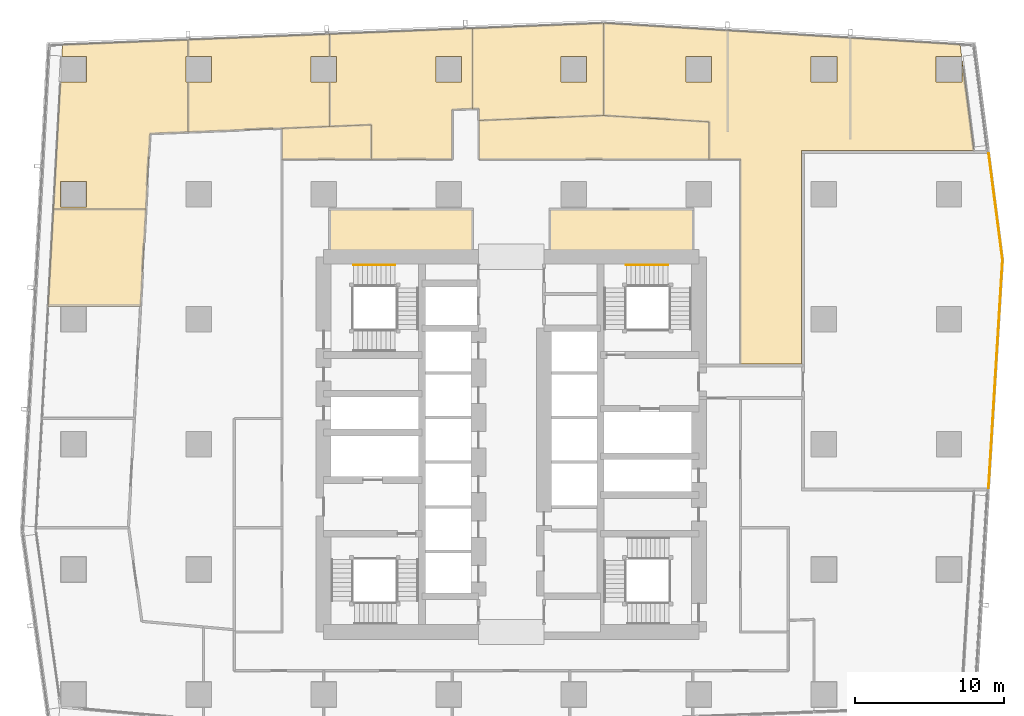
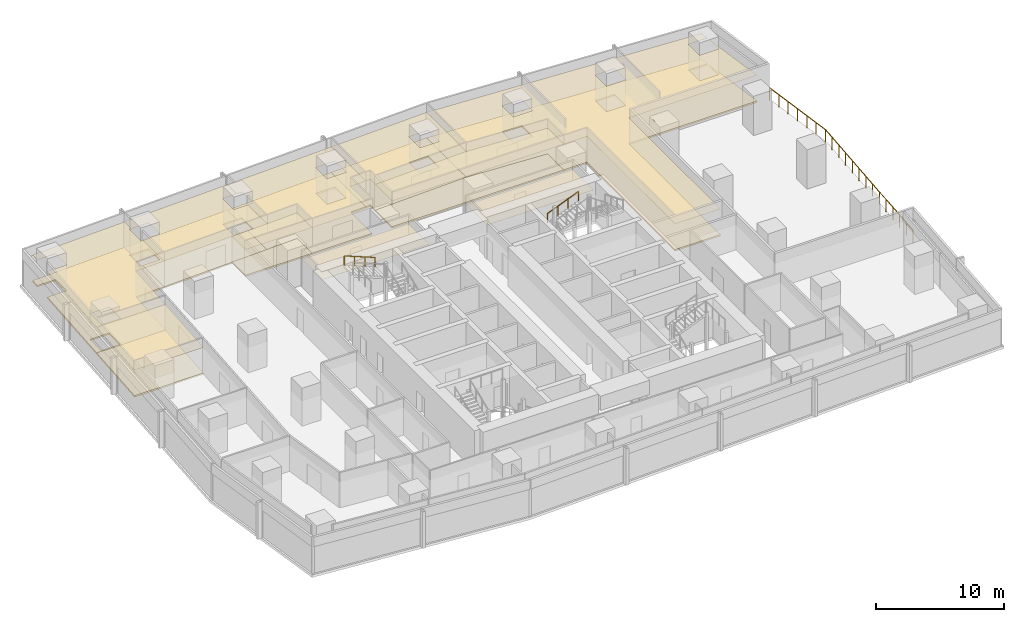
# One storey, part 40 of 40: 18 coverings, 3 railings.
"""IFC4 building model written with IfcOpenShell, lengths in metres."""

from ifc_helpers import new_model, si_unit, direction, frame, origin, origin_2d, place, context, subcontext, project, spatial, polyline, circle, outline, extrude, material, layer, layer_set, type_object, element, save


model = new_model("IFC4")

# Units and contexts
model_context = context("Model", 3, precision=1e-05, world=origin(), true_north=direction((0.0, 1.0)))
body_context = subcontext(model_context, "Body", "Model", "MODEL_VIEW")
ifc_project = project(units=[si_unit("LENGTHUNIT", "METRE"), si_unit("AREAUNIT", "SQUARE_METRE"), si_unit("VOLUMEUNIT", "CUBIC_METRE"), si_unit("PLANEANGLEUNIT", "RADIAN"), si_unit("MASSUNIT", "GRAM", prefix="KILO")], contexts=[model_context])

# Site, building, storey
site_placement = place(None, origin())
site = spatial("IfcSite", under=ifc_project, at=site_placement, CompositionType="ELEMENT")
building_placement = place(site_placement, origin())
building = spatial("IfcBuilding", under=site, at=building_placement, Name="Rekha Terrace Tower", CompositionType="ELEMENT")
storey_placement = place(building_placement, frame((0.0, 0.0, 99.050048828125)))
storey = spatial("IfcBuildingStorey", under=building, at=storey_placement, Name="L24", CompositionType="ELEMENT", Elevation=99.050048828125)

# Coverings
ifc_material_1 = material(Name="Mineral fibre tile in exposed grid", Category="finish")
ifc_layer_1 = layer(ifc_material_1, 0.02001953125)
ifc_layer_set_1 = layer_set([ifc_layer_1], Name="Mineral fibre tile in exposed grid")
covering_type_1 = type_object("IfcCoveringType", Name="CL1 600x1200 office grid ceiling", PredefinedType="CEILING", material=ifc_layer_set_1)
covering_1_placement = place(storey_placement, frame((0.0, 0.0, 2.579833984375)))
element("IfcCovering", 1, at=covering_1_placement, inside=storey, type_object=covering_type_1, Name="Ceiling L24-03", PredefinedType="CEILING", context=body_context, shape_type="SweptSolid", body=[
    extrude(outline(polyline([(52.35009765625, 54.60009765625), (52.34912109375, 54.60009765625), (52.34912109375, 61.40087890625), (44.00390625, 61.902099609375), (44.00390625, 55.69091796875), (51.09912109375, 55.263916015625), (51.09912109375, 52.75), (53.199951171875, 52.75), (53.199951171875, 39.0009765625), (57.299072265625, 39.0009765625), (57.299072265625, 53.325927734375), (62.073974609375, 53.326904296875), (68.8779296875, 53.326904296875), (68.0849609375, 59.416015625), (68.06494140625, 59.4150390625), (68.06494140625, 57.93505859375), (66.3349609375, 57.93505859375), (66.3349609375, 59.6650390625), (68.052978515625, 59.6650390625), (67.948974609375, 60.462890625), (60.56201171875, 60.906982421875), (60.56201171875, 54.10693359375), (60.56103515625, 54.10693359375), (60.56103515625, 60.906982421875), (52.35009765625, 61.39990234375), (52.35009765625, 54.60009765625)]), holes=[polyline([(59.6650390625, 57.93505859375), (57.93505859375, 57.93505859375), (57.93505859375, 59.6650390625), (59.6650390625, 59.6650390625), (59.6650390625, 57.93505859375)]), polyline([(51.264892578125, 57.93505859375), (49.534912109375, 57.93505859375), (49.534912109375, 59.6650390625), (51.264892578125, 59.6650390625), (51.264892578125, 57.93505859375)])]), origin(), (0.0, 0.0, 1.0), 0.02001953125),
])
covering_2_placement = place(storey_placement, frame((0.0, 0.0, 2.579833984375)))
element("IfcCovering", 2, at=covering_2_placement, inside=storey, type_object=covering_type_1, Name="Ceiling L24-04", PredefinedType="CEILING", context=body_context, shape_type="SweptSolid", body=[
    extrude(outline(polyline([(35.199951171875, 56.14208984375), (35.6259765625, 56.158935546875), (35.6259765625, 55.35791015625), (44.0029296875, 55.694091796875), (44.0029296875, 61.89892578125), (35.199951171875, 61.5458984375), (35.199951171875, 56.14208984375)]), holes=[polyline([(42.864990234375, 57.93505859375), (41.135009765625, 57.93505859375), (41.135009765625, 59.6650390625), (42.864990234375, 59.6650390625), (42.864990234375, 57.93505859375)])]), origin(), (0.0, 0.0, 1.0), 0.02001953125),
])
covering_3_placement = place(storey_placement, frame((0.0, 0.0, 2.579833984375)))
element("IfcCovering", 3, at=covering_3_placement, inside=storey, type_object=covering_type_1, Name="Ceiling L24-05", PredefinedType="CEILING", context=body_context, shape_type="SweptSolid", body=[
    extrude(outline(polyline([(26.06494140625, 57.93505859375), (25.60009765625, 57.93505859375), (25.60009765625, 54.9560546875), (28.39990234375, 55.068115234375), (28.39990234375, 52.75), (33.825927734375, 52.75), (33.825927734375, 56.0859375), (35.198974609375, 56.14111328125), (35.198974609375, 61.5458984375), (25.60009765625, 61.160888671875), (25.60009765625, 59.6650390625), (26.06494140625, 59.6650390625), (26.06494140625, 57.93505859375)]), holes=[polyline([(34.465087890625, 57.93505859375), (32.735107421875, 57.93505859375), (32.735107421875, 59.6650390625), (34.465087890625, 59.6650390625), (34.465087890625, 57.93505859375)])]), origin(), (0.0, 0.0, 1.0), 0.02001953125),
])
covering_4_placement = place(storey_placement, frame((0.0, 0.0, 2.579833984375)))
element("IfcCovering", 4, at=covering_4_placement, inside=storey, type_object=covering_type_1, Name="Ceiling L24-06", PredefinedType="CEILING", context=body_context, shape_type="SweptSolid", body=[
    extrude(outline(polyline([(25.59912109375, 59.6650390625), (25.59912109375, 61.160888671875), (16.10205078125, 60.781005859375), (16.10205078125, 59.6650390625), (17.6650390625, 59.6650390625), (17.6650390625, 57.93505859375), (16.10205078125, 57.93505859375), (16.10205078125, 54.575927734375), (25.59912109375, 54.9560546875), (25.59912109375, 57.93505859375), (24.3349609375, 57.93505859375), (24.3349609375, 59.6650390625), (25.59912109375, 59.6650390625)])), origin(), (0.0, 0.0, 1.0), 0.02001953125),
])
covering_5_placement = place(storey_placement, frame((0.0, 0.0, 2.579833984375)))
element("IfcCovering", 5, at=covering_5_placement, inside=storey, type_object=covering_type_1, Name="Ceiling L24-07", PredefinedType="CEILING", context=body_context, shape_type="SweptSolid", body=[
    extrude(outline(polyline([(7.51611328125, 57.93505859375), (7.048095703125, 49.404052734375), (13.257080078125, 49.404052734375), (13.534912109375, 54.472900390625), (16.10107421875, 54.575927734375), (16.10107421875, 57.93505859375), (15.93505859375, 57.93505859375), (15.93505859375, 59.6650390625), (16.10107421875, 59.6650390625), (16.10107421875, 60.781005859375), (7.653076171875, 60.44189453125), (7.610107421875, 59.6650390625), (9.264892578125, 59.6650390625), (9.264892578125, 57.93505859375), (7.51611328125, 57.93505859375)]), holes=[polyline([(9.264892578125, 51.264892578125), (9.264892578125, 49.534912109375), (7.534912109375, 49.534912109375), (7.534912109375, 51.264892578125), (9.264892578125, 51.264892578125)])]), origin(), (0.0, 0.0, 1.0), 0.02001953125),
])
covering_6_placement = place(storey_placement, frame((0.0, 0.0, 2.579833984375)))
element("IfcCovering", 6, at=covering_6_placement, inside=storey, type_object=covering_type_1, Name="Ceiling L24-08", PredefinedType="CEILING", context=body_context, shape_type="SweptSolid", body=[
    extrude(outline(polyline([(13.257080078125, 49.403076171875), (7.048095703125, 49.403076171875), (6.68994140625, 42.873046875), (12.89892578125, 42.873046875), (13.257080078125, 49.403076171875)])), origin(), (0.0, 0.0, 1.0), 0.02001953125),
])
covering_7_placement = place(storey_placement, frame((0.0, 0.0, 2.579833984375)))
element("IfcCovering", 7, at=covering_7_placement, inside=storey, type_object=covering_type_1, Name="Ceiling L24-10", PredefinedType="CEILING", context=body_context, shape_type="SweptSolid", body=[
    extrude(outline(polyline([(22.39990234375, 52.75), (28.39990234375, 52.75), (28.39990234375, 55.068115234375), (25.59912109375, 54.9560546875), (22.39990234375, 54.827880859375), (22.39990234375, 52.75)])), origin(), (0.0, 0.0, 1.0), 0.02001953125),
])
covering_8_placement = place(storey_placement, frame((0.0, 0.0, 2.579833984375)))
element("IfcCovering", 8, at=covering_8_placement, inside=storey, type_object=covering_type_1, Name="Ceiling L24-O2", PredefinedType="CEILING", context=body_context, shape_type="SweptSolid", body=[
    extrude(outline(polyline([(51.09912109375, 55.263916015625), (44.0029296875, 55.69091796875), (43.97607421875, 55.693115234375), (35.6259765625, 55.35791015625), (35.6259765625, 52.75), (51.09912109375, 52.75), (51.09912109375, 55.263916015625)])), origin(), (0.0, 0.0, 1.0), 0.02001953125),
])
ifc_material_2 = material(Name="Fibre cement board", Category="finish")
ifc_layer_2 = layer(ifc_material_2, 0.014892578125)
ifc_layer_set_2 = layer_set([ifc_layer_2], Name="Fibre cement board")
covering_type_2 = type_object("IfcCoveringType", Name="CL2 moisture-resistant board ceiling", PredefinedType="CEILING", material=ifc_layer_set_2)
covering_9_placement = place(storey_placement, frame((0.0, 0.0, 2.5849609375)))
element("IfcCovering", 9, at=covering_9_placement, inside=storey, type_object=covering_type_2, Name="Ceiling L24-WCF", PredefinedType="CEILING", context=body_context, shape_type="SweptSolid", body=[
    extrude(outline(polyline([(50.0, 49.39990234375), (40.39990234375, 49.39990234375), (40.39990234375, 46.199951171875), (50.0, 46.199951171875), (50.0, 49.39990234375)])), origin(), (0.0, 0.0, 1.0), 0.014892578125),
])
covering_10_placement = place(storey_placement, frame((0.0, 0.0, 2.5849609375)))
element("IfcCovering", 10, at=covering_10_placement, inside=storey, type_object=covering_type_2, Name="Ceiling L24-WCF2", PredefinedType="CEILING", context=body_context, shape_type="SweptSolid", body=[
    extrude(outline(polyline([(35.199951171875, 49.39990234375), (25.60009765625, 49.39990234375), (25.60009765625, 46.199951171875), (35.199951171875, 46.199951171875), (35.199951171875, 49.39990234375)])), origin(), (0.0, 0.0, 1.0), 0.014892578125),
])

# Railings
ifc_material_3 = material(Name="Steel guard with vertical balusters", Category="steel")
railing_type_1 = type_object("IfcRailingType", Name="GR2 refuge area guard 1200", PredefinedType="GUARDRAIL", material=ifc_material_3)
railing_1_placement = place(storey_placement, frame((69.860107421875, 30.677978515625, 0.0)))
element("IfcRailing", 11, at=railing_1_placement, inside=storey, type_object=railing_type_1, Name="Refuge area guard L24", PredefinedType="GUARDRAIL", context=body_context, shape_type="SweptSolid", body=[
    extrude(circle(Radius=0.02392578125, at=origin_2d()), frame((0.0, 0.0, 1.17578125), z_axis=(0.061211242772, 0.998124833755, 0.0), x_axis=(-0.998124833755, 0.061211242772, 0.0)), (0.0, 0.0, 1.0), 15.355712890625),
    extrude(circle(Radius=0.02392578125, at=origin_2d()), frame((0.93994140625, 15.326904296875, 1.17578125), z_axis=(-0.129238885934, 0.991613488393, 0.0), x_axis=(-0.991613488393, -0.129238885934, 0.0)), (0.0, 0.0, 1.0), 7.180419921875),
    extrude(circle(Radius=0.02099609375, at=origin_2d()), origin(), (0.0, 0.0, 1.0), 1.15185546875),
    extrude(circle(Radius=0.02099609375, at=origin_2d()), frame((0.072265625, 1.178955078125, 0.0)), (0.0, 0.0, 1.0), 1.15185546875),
    extrude(circle(Radius=0.02099609375, at=origin_2d()), frame((0.14453125, 2.35791015625, 0.0)), (0.0, 0.0, 1.0), 1.15185546875),
    extrude(circle(Radius=0.02099609375, at=origin_2d()), frame((0.216796875, 3.536865234375, 0.0)), (0.0, 0.0, 1.0), 1.15185546875),
    extrude(circle(Radius=0.02099609375, at=origin_2d()), frame((0.289306640625, 4.716064453125, 0.0)), (0.0, 0.0, 1.0), 1.15185546875),
    extrude(circle(Radius=0.02099609375, at=origin_2d()), frame((0.361572265625, 5.89501953125, 0.0)), (0.0, 0.0, 1.0), 1.15185546875),
    extrude(circle(Radius=0.02099609375, at=origin_2d()), frame((0.433837890625, 7.073974609375, 0.0)), (0.0, 0.0, 1.0), 1.15185546875),
    extrude(circle(Radius=0.02099609375, at=origin_2d()), frame((0.506103515625, 8.2529296875, 0.0)), (0.0, 0.0, 1.0), 1.15185546875),
    extrude(circle(Radius=0.02099609375, at=origin_2d()), frame((0.578369140625, 9.431884765625, 0.0)), (0.0, 0.0, 1.0), 1.15185546875),
    extrude(circle(Radius=0.02099609375, at=origin_2d()), frame((0.650634765625, 10.61083984375, 0.0)), (0.0, 0.0, 1.0), 1.15185546875),
    extrude(circle(Radius=0.02099609375, at=origin_2d()), frame((0.72314453125, 11.7900390625, 0.0)), (0.0, 0.0, 1.0), 1.15185546875),
    extrude(circle(Radius=0.02099609375, at=origin_2d()), frame((0.79541015625, 12.968994140625, 0.0)), (0.0, 0.0, 1.0), 1.15185546875),
    extrude(circle(Radius=0.02099609375, at=origin_2d()), frame((0.86767578125, 14.14794921875, 0.0)), (0.0, 0.0, 1.0), 1.15185546875),
    extrude(circle(Radius=0.02099609375, at=origin_2d()), frame((0.93994140625, 15.326904296875, 0.0)), (0.0, 0.0, 1.0), 1.15185546875),
    extrude(circle(Radius=0.02099609375, at=origin_2d()), frame((0.78515625, 16.513671875, 0.0)), (0.0, 0.0, 1.0), 1.15185546875),
    extrude(circle(Radius=0.02099609375, at=origin_2d()), frame((0.630615234375, 17.7001953125, 0.0)), (0.0, 0.0, 1.0), 1.15185546875),
    extrude(circle(Radius=0.02099609375, at=origin_2d()), frame((0.47607421875, 18.886962890625, 0.0)), (0.0, 0.0, 1.0), 1.15185546875),
    extrude(circle(Radius=0.02099609375, at=origin_2d()), frame((0.3212890625, 20.07373046875, 0.0)), (0.0, 0.0, 1.0), 1.15185546875),
    extrude(circle(Radius=0.02099609375, at=origin_2d()), frame((0.16650390625, 21.26025390625, 0.0)), (0.0, 0.0, 1.0), 1.15185546875),
    extrude(circle(Radius=0.02099609375, at=origin_2d()), frame((0.011962890625, 22.447021484375, 0.0)), (0.0, 0.0, 1.0), 1.15185546875),
])
ifc_material_4 = material(Name="Stainless steel tube", Category="steel")
railing_type_2 = type_object("IfcRailingType", Name="HR1 900 stair handrail", PredefinedType="HANDRAIL", material=ifc_material_4)
railing_2_placement = place(storey_placement, frame((45.52490234375, 45.639892578125, 1.375)))
element("IfcRailing", 12, at=railing_2_placement, inside=storey, type_object=railing_type_2, Name="Handrail ST2 L24 flight 2", PredefinedType="HANDRAIL", context=body_context, shape_type="SweptSolid", body=[
    extrude(circle(Radius=0.02392578125, at=origin_2d()), frame((0.0, 0.0, 0.8759765625), z_axis=(0.927443287984, 0.0, 0.373963831907), x_axis=(0.0, 1.0, 0.0)), (0.0, 0.0, 1.0), 3.00830078125),
    extrude(circle(Radius=0.02099609375, at=origin_2d()), origin(), (0.0, 0.0, 1.0), 0.851806640625),
    extrude(circle(Radius=0.02099609375, at=origin_2d()), frame((0.929931640625, 0.0, 0.375)), (0.0, 0.0, 1.0), 0.851806640625),
    extrude(circle(Radius=0.02099609375, at=origin_2d()), frame((1.860107421875, 0.0, 0.75)), (0.0, 0.0, 1.0), 0.851806640625),
    extrude(circle(Radius=0.02099609375, at=origin_2d()), frame((2.7900390625, 0.0, 1.125)), (0.0, 0.0, 1.0), 0.851806640625),
])
railing_3_placement = place(storey_placement, frame((29.989990234375, 45.639892578125, 2.625)))
element("IfcRailing", 13, at=railing_3_placement, inside=storey, type_object=railing_type_2, Name="Handrail ST4 L24 flight 3", PredefinedType="HANDRAIL", context=body_context, shape_type="SweptSolid", body=[
    extrude(circle(Radius=0.02392578125, at=origin_2d()), frame((0.0, 0.0, 0.8759765625), z_axis=(-0.927443287984, 0.0, 0.373963831907), x_axis=(0.0, -1.0, 0.0)), (0.0, 0.0, 1.0), 3.00830078125),
    extrude(circle(Radius=0.02099609375, at=origin_2d()), origin(), (0.0, 0.0, 1.0), 0.851806640625),
    extrude(circle(Radius=0.02099609375, at=origin_2d()), frame((-0.929931640625, 0.0, 0.375)), (0.0, 0.0, 1.0), 0.851806640625),
    extrude(circle(Radius=0.02099609375, at=origin_2d()), frame((-1.860107421875, 0.0, 0.75)), (0.0, 0.0, 1.0), 0.851806640625),
    extrude(circle(Radius=0.02099609375, at=origin_2d()), frame((-2.7900390625, 0.0, 1.125)), (0.0, 0.0, 1.0), 0.851806640625),
])

# Coverings
ifc_material_5 = material(Name="Calcium sulphate panels on steel pedestals", Category="steel")
ifc_layer_3 = layer(ifc_material_5, 0.14990234375)
ifc_layer_set_3 = layer_set([ifc_layer_3], Name="Calcium sulphate panels on steel pedestals")
covering_type_3 = type_object("IfcCoveringType", Name="RF1 150 raised access floor", PredefinedType="FLOORING", material=ifc_layer_set_3)
covering_11_placement = place(storey_placement, origin())
element("IfcCovering", 14, at=covering_11_placement, inside=storey, type_object=covering_type_3, Name="Raised floor L24-03", PredefinedType="FLOORING", context=body_context, shape_type="SweptSolid", body=[
    extrude(outline(polyline([(52.35009765625, 54.60009765625), (52.34912109375, 54.60009765625), (52.34912109375, 61.40087890625), (44.00390625, 61.902099609375), (44.00390625, 55.69091796875), (51.09912109375, 55.263916015625), (51.09912109375, 52.75), (53.199951171875, 52.75), (53.199951171875, 39.0009765625), (57.299072265625, 39.0009765625), (57.299072265625, 53.325927734375), (62.073974609375, 53.326904296875), (68.8779296875, 53.326904296875), (68.0849609375, 59.416015625), (68.06494140625, 59.4150390625), (68.06494140625, 57.93505859375), (66.3349609375, 57.93505859375), (66.3349609375, 59.6650390625), (68.052978515625, 59.6650390625), (67.948974609375, 60.462890625), (60.56201171875, 60.906982421875), (60.56201171875, 54.10693359375), (60.56103515625, 54.10693359375), (60.56103515625, 60.906982421875), (52.35009765625, 61.39990234375), (52.35009765625, 54.60009765625)]), holes=[polyline([(59.6650390625, 57.93505859375), (57.93505859375, 57.93505859375), (57.93505859375, 59.6650390625), (59.6650390625, 59.6650390625), (59.6650390625, 57.93505859375)]), polyline([(51.264892578125, 57.93505859375), (49.534912109375, 57.93505859375), (49.534912109375, 59.6650390625), (51.264892578125, 59.6650390625), (51.264892578125, 57.93505859375)])]), origin(), (0.0, 0.0, 1.0), 0.14990234375),
])
covering_12_placement = place(storey_placement, origin())
element("IfcCovering", 15, at=covering_12_placement, inside=storey, type_object=covering_type_3, Name="Raised floor L24-04", PredefinedType="FLOORING", context=body_context, shape_type="SweptSolid", body=[
    extrude(outline(polyline([(35.199951171875, 56.14208984375), (35.6259765625, 56.158935546875), (35.6259765625, 55.35791015625), (44.0029296875, 55.694091796875), (44.0029296875, 61.89892578125), (35.199951171875, 61.5458984375), (35.199951171875, 56.14208984375)]), holes=[polyline([(42.864990234375, 57.93505859375), (41.135009765625, 57.93505859375), (41.135009765625, 59.6650390625), (42.864990234375, 59.6650390625), (42.864990234375, 57.93505859375)])]), origin(), (0.0, 0.0, 1.0), 0.14990234375),
])
covering_13_placement = place(storey_placement, origin())
element("IfcCovering", 16, at=covering_13_placement, inside=storey, type_object=covering_type_3, Name="Raised floor L24-05", PredefinedType="FLOORING", context=body_context, shape_type="SweptSolid", body=[
    extrude(outline(polyline([(26.06494140625, 57.93505859375), (25.60009765625, 57.93505859375), (25.60009765625, 54.9560546875), (28.39990234375, 55.068115234375), (28.39990234375, 52.75), (33.825927734375, 52.75), (33.825927734375, 56.0859375), (35.198974609375, 56.14111328125), (35.198974609375, 61.5458984375), (25.60009765625, 61.160888671875), (25.60009765625, 59.6650390625), (26.06494140625, 59.6650390625), (26.06494140625, 57.93505859375)]), holes=[polyline([(34.465087890625, 57.93505859375), (32.735107421875, 57.93505859375), (32.735107421875, 59.6650390625), (34.465087890625, 59.6650390625), (34.465087890625, 57.93505859375)])]), origin(), (0.0, 0.0, 1.0), 0.14990234375),
])
covering_14_placement = place(storey_placement, origin())
element("IfcCovering", 17, at=covering_14_placement, inside=storey, type_object=covering_type_3, Name="Raised floor L24-06", PredefinedType="FLOORING", context=body_context, shape_type="SweptSolid", body=[
    extrude(outline(polyline([(25.59912109375, 59.6650390625), (25.59912109375, 61.160888671875), (16.10205078125, 60.781005859375), (16.10205078125, 59.6650390625), (17.6650390625, 59.6650390625), (17.6650390625, 57.93505859375), (16.10205078125, 57.93505859375), (16.10205078125, 54.575927734375), (25.59912109375, 54.9560546875), (25.59912109375, 57.93505859375), (24.3349609375, 57.93505859375), (24.3349609375, 59.6650390625), (25.59912109375, 59.6650390625)])), origin(), (0.0, 0.0, 1.0), 0.14990234375),
])
covering_15_placement = place(storey_placement, origin())
element("IfcCovering", 18, at=covering_15_placement, inside=storey, type_object=covering_type_3, Name="Raised floor L24-07", PredefinedType="FLOORING", context=body_context, shape_type="SweptSolid", body=[
    extrude(outline(polyline([(7.51611328125, 57.93505859375), (7.048095703125, 49.404052734375), (13.257080078125, 49.404052734375), (13.534912109375, 54.472900390625), (16.10107421875, 54.575927734375), (16.10107421875, 57.93505859375), (15.93505859375, 57.93505859375), (15.93505859375, 59.6650390625), (16.10107421875, 59.6650390625), (16.10107421875, 60.781005859375), (7.653076171875, 60.44189453125), (7.610107421875, 59.6650390625), (9.264892578125, 59.6650390625), (9.264892578125, 57.93505859375), (7.51611328125, 57.93505859375)]), holes=[polyline([(9.264892578125, 51.264892578125), (9.264892578125, 49.534912109375), (7.534912109375, 49.534912109375), (7.534912109375, 51.264892578125), (9.264892578125, 51.264892578125)])]), origin(), (0.0, 0.0, 1.0), 0.14990234375),
])
covering_16_placement = place(storey_placement, origin())
element("IfcCovering", 19, at=covering_16_placement, inside=storey, type_object=covering_type_3, Name="Raised floor L24-08", PredefinedType="FLOORING", context=body_context, shape_type="SweptSolid", body=[
    extrude(outline(polyline([(13.257080078125, 49.403076171875), (7.048095703125, 49.403076171875), (6.68994140625, 42.873046875), (12.89892578125, 42.873046875), (13.257080078125, 49.403076171875)])), origin(), (0.0, 0.0, 1.0), 0.14990234375),
])
covering_17_placement = place(storey_placement, origin())
element("IfcCovering", 20, at=covering_17_placement, inside=storey, type_object=covering_type_3, Name="Raised floor L24-10", PredefinedType="FLOORING", context=body_context, shape_type="SweptSolid", body=[
    extrude(outline(polyline([(22.39990234375, 52.75), (28.39990234375, 52.75), (28.39990234375, 55.068115234375), (25.59912109375, 54.9560546875), (22.39990234375, 54.827880859375), (22.39990234375, 52.75)])), origin(), (0.0, 0.0, 1.0), 0.14990234375),
])
covering_18_placement = place(storey_placement, origin())
element("IfcCovering", 21, at=covering_18_placement, inside=storey, type_object=covering_type_3, Name="Raised floor L24-O2", PredefinedType="FLOORING", context=body_context, shape_type="SweptSolid", body=[
    extrude(outline(polyline([(51.09912109375, 55.263916015625), (44.0029296875, 55.69091796875), (43.97607421875, 55.693115234375), (35.6259765625, 55.35791015625), (35.6259765625, 52.75), (51.09912109375, 52.75), (51.09912109375, 55.263916015625)])), origin(), (0.0, 0.0, 1.0), 0.14990234375),
])

save(model, "model.ifc")
